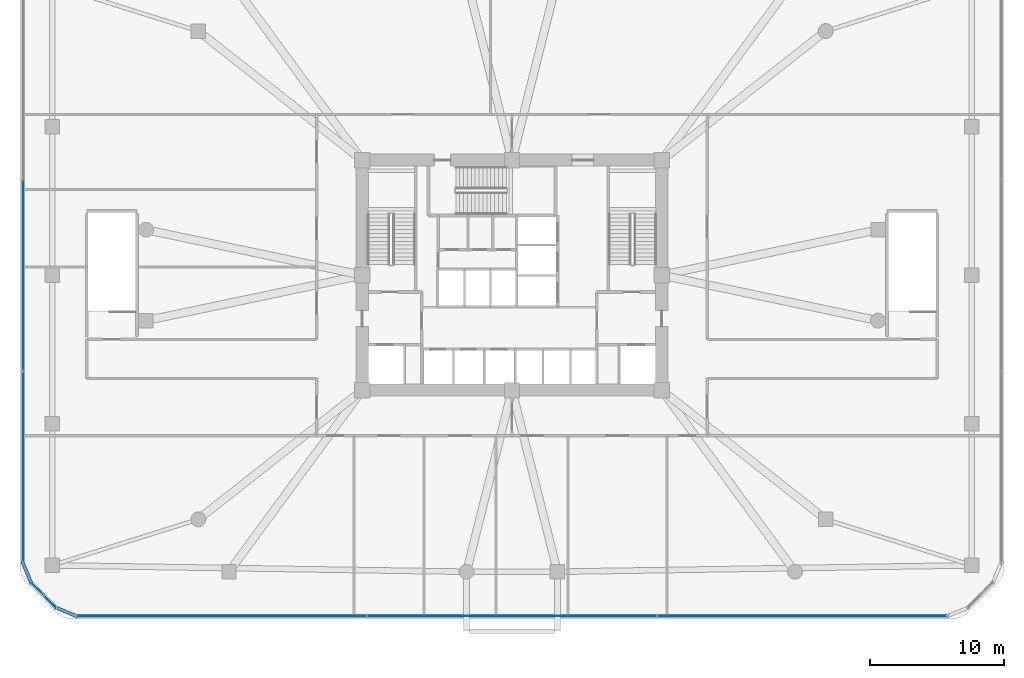
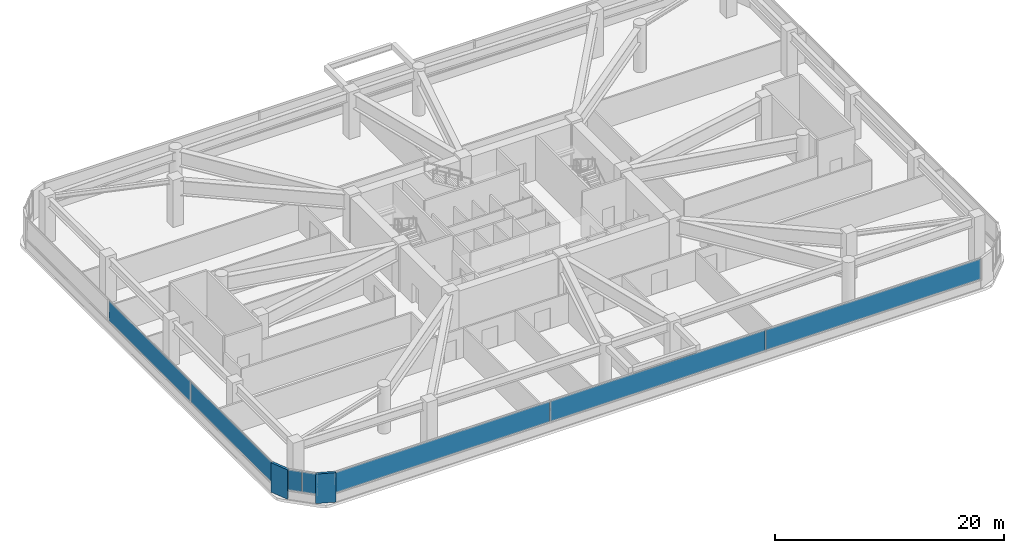
# One storey, part 12 of 21: 9 plates, 3 elements without a shape of their own.
"""IFC4 building model written with IfcOpenShell, lengths in metres."""

from ifc_helpers import new_model, si_unit, derived_unit, direction, frame, origin, origin_2d, place, context, subcontext, project, spatial, rectangle, extrude, material, layer, layer_set, type_object, element, aggregate, save


model = new_model("IFC4")

# Units and contexts
model_context = context("Model", 3, precision=1e-05, world=origin(), true_north=direction((0.0, 1.0)))
body_context = subcontext(model_context, "Body", "Model", "MODEL_VIEW")
ifc_project = project(units=[si_unit("LENGTHUNIT", "METRE"), si_unit("AREAUNIT", "SQUARE_METRE"), si_unit("VOLUMEUNIT", "CUBIC_METRE"), si_unit("PLANEANGLEUNIT", "RADIAN"), si_unit("MASSUNIT", "GRAM", prefix="KILO"), derived_unit("THERMALTRANSMITTANCEUNIT", [(si_unit("POWERUNIT", "WATT"), 1), (si_unit("LENGTHUNIT", "METRE"), -2), (si_unit("THERMODYNAMICTEMPERATUREUNIT", "KELVIN"), -1)])], contexts=[model_context])

# Site, building, storey
site_placement = place(None, origin())
site = spatial("IfcSite", under=ifc_project, at=site_placement, CompositionType="ELEMENT")
building_placement = place(site_placement, origin())
building = spatial("IfcBuilding", under=site, at=building_placement, Name="Koralith Skygarden Medical Center", CompositionType="ELEMENT")
storey_placement = place(building_placement, frame((0.0, 0.0, 18.89990234375)))
storey = spatial("IfcBuildingStorey", under=building, at=storey_placement, Name="L04", CompositionType="ELEMENT", Elevation=18.89990234375)

# Curtain wall, plates
ifc_material_1 = material(Name="Clear Laminated Glass", Category="glass")
curtain_wall_type = type_object("IfcCurtainWallType", Name="CW-1 Transit & Podium Acoustic Curtain Wall", PredefinedType="NOTDEFINED", material=ifc_material_1)
curtain_wall_1_placement = place(storey_placement, origin())
curtain_wall_1 = element("IfcCurtainWall", 1, at=curtain_wall_1_placement, inside=storey, type_object=curtain_wall_type, Name="Curtain Wall CW-L04-S", PredefinedType="NOTDEFINED")
ifc_layer_1 = layer(ifc_material_1, 0.030029296875)
ifc_layer_set_1 = layer_set([ifc_layer_1], Name="Clear Laminated Glass")
plate_type_1 = type_object("IfcPlateType", Name="CW-1 Hurricane Laminated IGU Panel 30", PredefinedType="CURTAIN_PANEL", material=ifc_layer_set_1)
plate_1_placement = place(storey_placement, frame((15.2529296875, 0.419921875, 0.919921875), z_axis=(0.0, 0.0, 1.0), x_axis=(1.0, 0.0, 0.0)))
plate_1 = element("IfcPlate", 2, at=plate_1_placement, type_object=plate_type_1, Name="CW-L04-S Glazed Panel 1", PredefinedType="CURTAIN_PANEL", context=body_context, shape_type="SweptSolid", body=[
    extrude(rectangle(XDim=21.656982421875, YDim=0.030029296875, at=origin_2d()), origin(), (0.0, 0.0, 1.0), 2.159912109375),
])
plate_2_placement = place(storey_placement, frame((37.0, 0.419921875, 0.919921875), z_axis=(0.0, 0.0, 1.0), x_axis=(1.0, 0.0, 0.0)))
plate_2 = element("IfcPlate", 3, at=plate_2_placement, type_object=plate_type_1, Name="CW-L04-S Glazed Panel 2", PredefinedType="CURTAIN_PANEL", context=body_context, shape_type="SweptSolid", body=[
    extrude(rectangle(XDim=21.656982421875, YDim=0.030029296875, at=origin_2d()), origin(), (0.0, 0.0, 1.0), 2.159912109375),
])
plate_3_placement = place(storey_placement, frame((58.7470703125, 0.419921875, 0.919921875), z_axis=(0.0, 0.0, 1.0), x_axis=(1.0, 0.0, 0.0)))
plate_3 = element("IfcPlate", 4, at=plate_3_placement, type_object=plate_type_1, Name="CW-L04-S Glazed Panel 3", PredefinedType="CURTAIN_PANEL", context=body_context, shape_type="SweptSolid", body=[
    extrude(rectangle(XDim=21.656982421875, YDim=0.030029296875, at=origin_2d()), origin(), (0.0, 0.0, 1.0), 2.159912109375),
])
aggregate(curtain_wall_1, [plate_1, plate_2, plate_3])

curtain_wall_2_placement = place(storey_placement, origin())
curtain_wall_2 = element("IfcCurtainWall", 5, at=curtain_wall_2_placement, inside=storey, type_object=curtain_wall_type, Name="Curtain Wall CW-L04-W", PredefinedType="NOTDEFINED")
plate_4_placement = place(storey_placement, frame((0.419921875, 25.89990234375, 0.919921875), z_axis=(0.0, 0.0, 1.0), x_axis=(0.0, -1.0, 0.0)))
plate_4 = element("IfcPlate", 6, at=plate_4_placement, type_object=plate_type_1, Name="CW-L04-W Glazed Panel 2", PredefinedType="CURTAIN_PANEL", context=body_context, shape_type="SweptSolid", body=[
    extrude(rectangle(XDim=14.257080078125, YDim=0.030029296875, at=origin_2d()), origin(), (0.0, 0.0, 1.0), 2.159912109375),
])
plate_5_placement = place(storey_placement, frame((0.419921875, 11.552978515625, 0.919921875), z_axis=(0.0, 0.0, 1.0), x_axis=(0.0, -1.0, 0.0)))
plate_5 = element("IfcPlate", 7, at=plate_5_placement, type_object=plate_type_1, Name="CW-L04-W Glazed Panel 3", PredefinedType="CURTAIN_PANEL", context=body_context, shape_type="SweptSolid", body=[
    extrude(rectangle(XDim=14.257080078125, YDim=0.030029296875, at=origin_2d()), origin(), (0.0, 0.0, 1.0), 2.159912109375),
])
aggregate(curtain_wall_2, [plate_4, plate_5])

curtain_wall_3_placement = place(storey_placement, origin())
curtain_wall_3 = element("IfcCurtainWall", 8, at=curtain_wall_3_placement, inside=storey, type_object=curtain_wall_type, Name="Curtain Wall CW-L04-SW", PredefinedType="NOTDEFINED")
plate_6_placement = place(storey_placement, frame((1.498046875, 2.450927734375, 0.919921875), z_axis=(0.0, 0.0, 1.0), x_axis=(0.707106781187, -0.707106781187, 0.0)))
plate_6 = element("IfcPlate", 9, at=plate_6_placement, type_object=plate_type_1, Name="CW-L04-SW Glazed Panel 1", PredefinedType="CURTAIN_PANEL", context=body_context, shape_type="SweptSolid", body=[
    extrude(rectangle(XDim=1.258056640625, YDim=0.030029296875, at=origin_2d()), origin(), (0.0, 0.0, 1.0), 2.159912109375),
])
plate_7_placement = place(storey_placement, frame((2.450927734375, 1.498046875, 0.919921875), z_axis=(0.0, 0.0, 1.0), x_axis=(0.707106781187, -0.707106781187, 0.0)))
plate_7 = element("IfcPlate", 10, at=plate_7_placement, type_object=plate_type_1, Name="CW-L04-SW Glazed Panel 2", PredefinedType="CURTAIN_PANEL", context=body_context, shape_type="SweptSolid", body=[
    extrude(rectangle(XDim=1.258056640625, YDim=0.030029296875, at=origin_2d()), origin(), (0.0, 0.0, 1.0), 2.159912109375),
])
aggregate(curtain_wall_3, [plate_6, plate_7])

# Plates
ifc_material_2 = material(Name="Warm Oolitic Limestone Cladding", Category="masonry")
ifc_layer_2 = layer(ifc_material_2, 0.239990234375)
ifc_layer_set_2 = layer_set([ifc_layer_2], Name="Warm Oolitic Limestone Cladding")
plate_type_2 = type_object("IfcPlateType", Name="Rounded-Corner Oolitic Limestone Cladding Panel 240", PredefinedType="USERDEFINED", material=ifc_layer_set_2)
for number, where, z_axis, x_axis, name in (
    (11, (0.719970703125, 3.653076171875, 0.000244140625), (0.0, 0.0, 1.0), (0.382670532536, -0.92388487569, 0.0), "L04 Rounded-Corner Limestone Pier 7"),
    (12, (3.653076171875, 0.719970703125, 0.000244140625), (0.0, 0.0, 1.0), (0.92388487569, -0.382670532536, 0.0), "L04 Rounded-Corner Limestone Pier 8"),
):
    element("IfcPlate", number, at=place(storey_placement, frame(where, z_axis=z_axis, x_axis=x_axis)), inside=storey, type_object=plate_type_2, Name=name, ObjectType="LIMESTONE CLADDING", PredefinedType="USERDEFINED", context=body_context, shape_type="SweptSolid", body=[
        extrude(rectangle(XDim=1.81103515625, YDim=0.239990234375, at=origin_2d()), origin(), (0.0, 0.0, 1.0), 3.14990234375),
    ])

save(model, "model.ifc")
